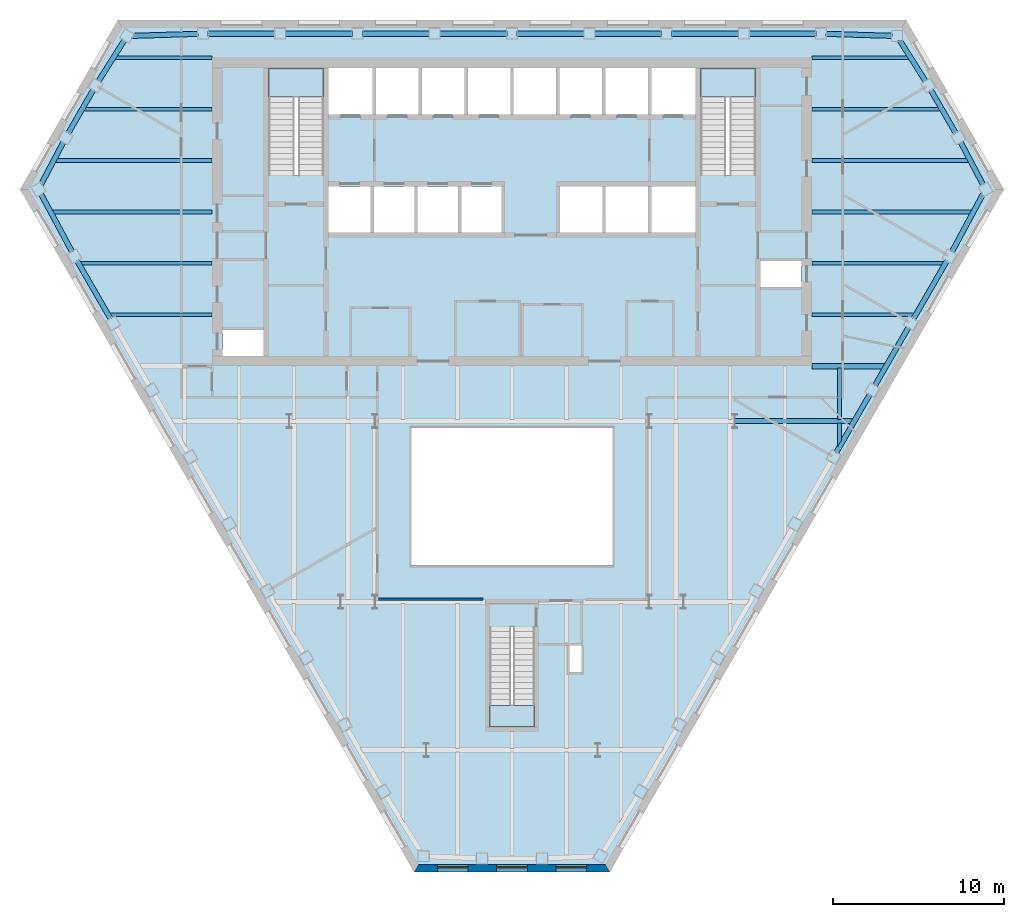
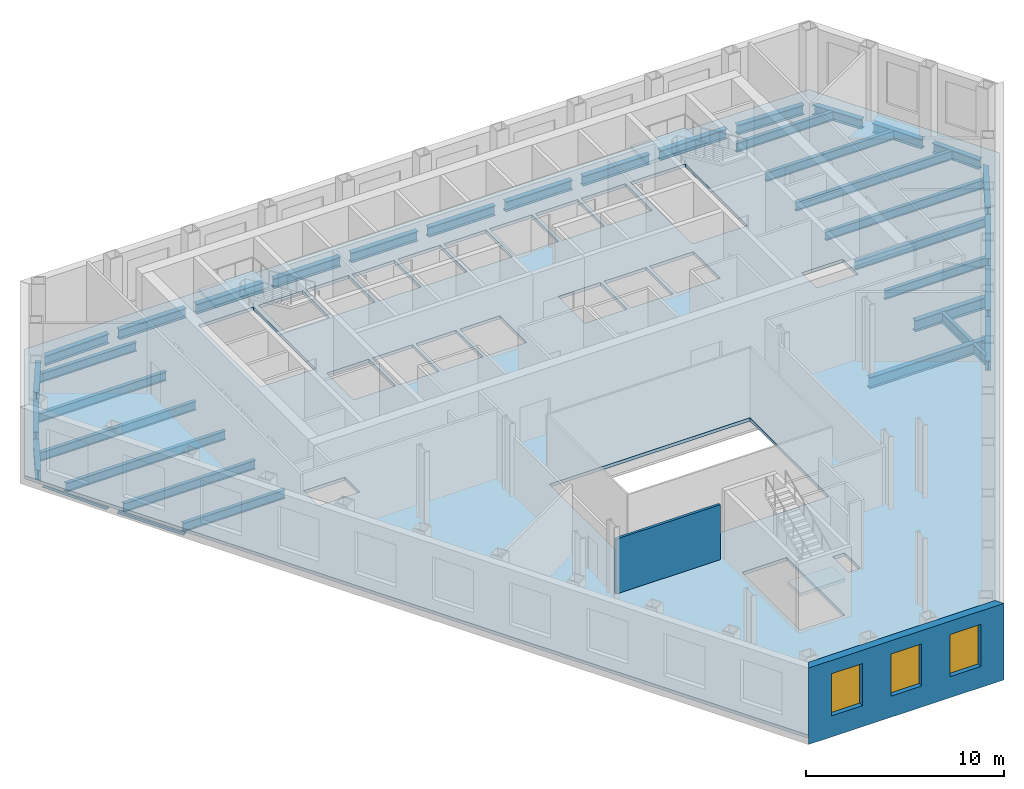
# One storey, part 3 of 10: 38 beams, 4 slabs, 3 windows, 2 walls, 3 openings, 3 elements without a shape of their own.
"""IFC4 building model written with IfcOpenShell, lengths in metres."""

from ifc_helpers import new_model, si_unit, direction, frame, frame_2d, origin, origin_2d, place, context, subcontext, project, spatial, polyline, rectangle, i_section, outline, extrude, clip, halfspace, material, layer, layer_set, material_profile, profile_set, type_object, element, fill, aggregate, save


model = new_model("IFC4")

# Units and contexts
model_context = context("Model", 3, precision=1e-05, world=origin(), true_north=direction((0.0, 1.0)))
body_context = subcontext(model_context, "Body", "Model", "MODEL_VIEW")
ifc_project = project(units=[si_unit("LENGTHUNIT", "METRE"), si_unit("AREAUNIT", "SQUARE_METRE"), si_unit("VOLUMEUNIT", "CUBIC_METRE"), si_unit("PLANEANGLEUNIT", "RADIAN"), si_unit("MASSUNIT", "GRAM", prefix="KILO")], contexts=[model_context])

# Site, building, storey
site_placement = place(None, origin())
site = spatial("IfcSite", under=ifc_project, at=site_placement, CompositionType="ELEMENT")
building_placement = place(site_placement, origin())
building = spatial("IfcBuilding", under=site, at=building_placement, Name="Njiva Tower", CompositionType="ELEMENT")
storey_placement = place(building_placement, frame((0.0, 0.0, 55.8)))
storey = spatial("IfcBuildingStorey", under=building, at=storey_placement, Name="L11", CompositionType="ELEMENT", Elevation=55.8)

# Beams
ifc_material_1 = material(Name="Steel S355 J2", Category="steel")
ifc_material_profile_1 = material_profile(ifc_material_1, i_section(OverallWidth=0.21, OverallDepth=0.55, WebThickness=0.0111, FlangeThickness=0.0172, at=origin_2d()), Name="IPE 550")
ifc_profile_set_1 = profile_set([ifc_material_profile_1], Name="Steel S355 J2")
beam_type_1 = type_object("IfcBeamType", Name="B10 Floor beam to the core IPE 550", PredefinedType="BEAM", material=ifc_profile_set_1)
beam_1_placement = place(storey_placement, frame((-23.521, 3.0, -0.475), z_axis=(1.0, 0.0, 0.0), x_axis=(0.0, 1.0, 0.0)))
element("IfcBeam", 1, at=beam_1_placement, inside=storey, type_object=beam_type_1, Name="Floor beam to the core S03-B006", PredefinedType="BEAM", context=body_context, shape_type="Clipping", body=[
    clip(extrude(i_section(OverallWidth=0.21, OverallDepth=0.55, WebThickness=0.0111, FlangeThickness=0.0172, at=origin_2d()), origin(), (0.0, 0.0, 1.0), 6.021), halfspace(frame((-0.025, 0.0, 0.0951), z_axis=(-0.499998009787, 0.0, -0.866026552831), x_axis=(0.0, -1.0, 0.0)), False)),
])
beam_2_placement = place(storey_placement, frame((17.5, 3.0, -0.475), z_axis=(1.0, 0.0, 0.0), x_axis=(0.0, 1.0, 0.0)))
element("IfcBeam", 2, at=beam_2_placement, inside=storey, type_object=beam_type_1, Name="Floor beam to the core S03-B008", PredefinedType="BEAM", context=body_context, shape_type="Clipping", body=[
    clip(extrude(i_section(OverallWidth=0.21, OverallDepth=0.55, WebThickness=0.0111, FlangeThickness=0.0172, at=origin_2d()), origin(), (0.0, 0.0, 1.0), 6.021), halfspace(frame((-0.025, 0.0, 5.9259), z_axis=(-0.499998009787, 0.0, 0.866026552831), x_axis=(0.0, 1.0, 0.0)), False)),
])
beam_3_placement = place(storey_placement, frame((-25.253, 6.0, -0.475), z_axis=(1.0, 0.0, 0.0), x_axis=(0.0, 1.0, 0.0)))
element("IfcBeam", 3, at=beam_3_placement, inside=storey, type_object=beam_type_1, Name="Floor beam to the core S03-B004", PredefinedType="BEAM", context=body_context, shape_type="Clipping", body=[
    clip(extrude(i_section(OverallWidth=0.21, OverallDepth=0.55, WebThickness=0.0111, FlangeThickness=0.0172, at=origin_2d()), origin(), (0.0, 0.0, 1.0), 7.753), halfspace(frame((-0.025, 0.0, 0.095), z_axis=(-0.499998009787, 0.0, -0.866026552831), x_axis=(0.0, -1.0, 0.0)), False)),
])
beam_4_placement = place(storey_placement, frame((17.5, 6.0, -0.475), z_axis=(1.0, 0.0, 0.0), x_axis=(0.0, 1.0, 0.0)))
element("IfcBeam", 4, at=beam_4_placement, inside=storey, type_object=beam_type_1, Name="Floor beam to the core S03-B009", PredefinedType="BEAM", context=body_context, shape_type="Clipping", body=[
    clip(extrude(i_section(OverallWidth=0.21, OverallDepth=0.55, WebThickness=0.0111, FlangeThickness=0.0172, at=origin_2d()), origin(), (0.0, 0.0, 1.0), 7.753), halfspace(frame((-0.025, 0.0, 7.658), z_axis=(-0.499998009787, 0.0, 0.866026552831), x_axis=(0.0, 1.0, 0.0)), False)),
])
beam_5_placement = place(storey_placement, frame((-26.881, 9.0, -0.475), z_axis=(1.0, 0.0, 0.0), x_axis=(0.0, 1.0, 0.0)))
element("IfcBeam", 5, at=beam_5_placement, inside=storey, type_object=beam_type_1, Name="Floor beam to the core S03-B001", PredefinedType="BEAM", context=body_context, shape_type="Clipping", body=[
    clip(extrude(i_section(OverallWidth=0.21, OverallDepth=0.55, WebThickness=0.0111, FlangeThickness=0.0172, at=origin_2d()), origin(), (0.0, 0.0, 1.0), 9.381), halfspace(frame((-0.0237, 0.0, 0.0892), z_axis=(-0.473769423091, 0.0, -0.880648927634), x_axis=(0.0, -1.0, 0.0)), False)),
])
beam_6_placement = place(storey_placement, frame((17.5, 9.0, -0.475), z_axis=(1.0, 0.0, 0.0), x_axis=(0.0, 1.0, 0.0)))
element("IfcBeam", 6, at=beam_6_placement, inside=storey, type_object=beam_type_1, Name="Floor beam to the core S03-B011", PredefinedType="BEAM", context=body_context, shape_type="Clipping", body=[
    clip(extrude(i_section(OverallWidth=0.21, OverallDepth=0.55, WebThickness=0.0111, FlangeThickness=0.0172, at=origin_2d()), origin(), (0.0, 0.0, 1.0), 9.381), halfspace(frame((-0.0237, 0.0, 9.2918), z_axis=(-0.473769423091, 0.0, 0.880648927634), x_axis=(0.0, 1.0, 0.0)), False)),
])
beam_7_placement = place(storey_placement, frame((-26.704, 12.0, -0.475), z_axis=(1.0, 0.0, 0.0), x_axis=(0.0, 1.0, 0.0)))
element("IfcBeam", 7, at=beam_7_placement, inside=storey, type_object=beam_type_1, Name="Floor beam to the core S03-B002", PredefinedType="BEAM", context=body_context, shape_type="Clipping", body=[
    clip(extrude(i_section(OverallWidth=0.21, OverallDepth=0.55, WebThickness=0.0111, FlangeThickness=0.0172, at=origin_2d()), origin(), (0.0, 0.0, 1.0), 9.204), halfspace(frame((0.0233, 0.0, 0.0871), z_axis=(0.465930652932, 0.0, -0.884821239945), x_axis=(0.0, -1.0, 0.0)), False)),
])
beam_8_placement = place(storey_placement, frame((17.5, 12.0, -0.475), z_axis=(1.0, 0.0, 0.0), x_axis=(0.0, 1.0, 0.0)))
element("IfcBeam", 8, at=beam_8_placement, inside=storey, type_object=beam_type_1, Name="Floor beam to the core S03-B012", PredefinedType="BEAM", context=body_context, shape_type="Clipping", body=[
    clip(extrude(i_section(OverallWidth=0.21, OverallDepth=0.55, WebThickness=0.0111, FlangeThickness=0.0172, at=origin_2d()), origin(), (0.0, 0.0, 1.0), 9.204), halfspace(frame((0.0233, 0.0, 9.1169), z_axis=(0.465930652932, 0.0, 0.884821239945), x_axis=(0.0, 1.0, 0.0)), False)),
])
beam_9_placement = place(storey_placement, frame((-25.044, 15.0, -0.475), z_axis=(1.0, 0.0, 0.0), x_axis=(0.0, 1.0, 0.0)))
element("IfcBeam", 9, at=beam_9_placement, inside=storey, type_object=beam_type_1, Name="Floor beam to the core S03-B005", PredefinedType="BEAM", context=body_context, shape_type="Clipping", body=[
    clip(extrude(i_section(OverallWidth=0.21, OverallDepth=0.55, WebThickness=0.0111, FlangeThickness=0.0172, at=origin_2d()), origin(), (0.0, 0.0, 1.0), 7.544), halfspace(frame((0.025, 0.0, 0.0954), z_axis=(0.499998009787, 0.0, -0.866026552831), x_axis=(0.0, -1.0, 0.0)), False)),
])
beam_10_placement = place(storey_placement, frame((17.5, 15.0, -0.475), z_axis=(1.0, 0.0, 0.0), x_axis=(0.0, 1.0, 0.0)))
element("IfcBeam", 10, at=beam_10_placement, inside=storey, type_object=beam_type_1, Name="Floor beam to the core S03-B013", PredefinedType="BEAM", context=body_context, shape_type="Clipping", body=[
    clip(extrude(i_section(OverallWidth=0.21, OverallDepth=0.55, WebThickness=0.0111, FlangeThickness=0.0172, at=origin_2d()), origin(), (0.0, 0.0, 1.0), 7.544), halfspace(frame((0.025, 0.0, 7.4486), z_axis=(0.499998009787, 0.0, 0.866026552831), x_axis=(0.0, 1.0, 0.0)), False)),
])
beam_11_placement = place(storey_placement, frame((-23.228, 18.0, -0.475), z_axis=(1.0, 0.0, 0.0), x_axis=(0.0, 1.0, 0.0)))
element("IfcBeam", 11, at=beam_11_placement, inside=storey, type_object=beam_type_1, Name="Floor beam to the core S03-B007", PredefinedType="BEAM", context=body_context, shape_type="Clipping", body=[
    clip(extrude(i_section(OverallWidth=0.21, OverallDepth=0.55, WebThickness=0.0111, FlangeThickness=0.0172, at=origin_2d()), origin(), (0.0, 0.0, 1.0), 5.728), halfspace(frame((0.0267, 0.0, 0.103), z_axis=(0.533317101749, 0.0, -0.84591540297), x_axis=(0.0, -1.0, 0.0)), False)),
])
beam_12_placement = place(storey_placement, frame((17.5, 18.0, -0.475), z_axis=(1.0, 0.0, 0.0), x_axis=(0.0, 1.0, 0.0)))
element("IfcBeam", 12, at=beam_12_placement, inside=storey, type_object=beam_type_1, Name="Floor beam to the core S03-B014", PredefinedType="BEAM", context=body_context, shape_type="Clipping", body=[
    clip(extrude(i_section(OverallWidth=0.21, OverallDepth=0.55, WebThickness=0.0111, FlangeThickness=0.0172, at=origin_2d()), origin(), (0.0, 0.0, 1.0), 5.728), halfspace(frame((0.0267, 0.0, 5.625), z_axis=(0.533317101749, 0.0, 0.84591540297), x_axis=(0.0, 1.0, 0.0)), False)),
])
ifc_material_profile_2 = material_profile(ifc_material_1, i_section(OverallWidth=0.22, OverallDepth=0.6, WebThickness=0.012, FlangeThickness=0.019, at=origin_2d()), Name="IPE 600")
ifc_profile_set_2 = profile_set([ifc_material_profile_2], Name="Steel S355 J2")
beam_type_2 = type_object("IfcBeamType", Name="B14 Short-span floor joist IPE 600", PredefinedType="JOIST", material=ifc_profile_set_2)
beam_13_placement = place(storey_placement, frame((19.1, -0.1, -0.5), z_axis=(0.0, -1.0, 0.0), x_axis=(1.0, 0.0, 0.0)))
element("IfcBeam", 13, at=beam_13_placement, inside=storey, type_object=beam_type_2, Name="Short-span floor joist S03-B096", PredefinedType="JOIST", context=body_context, shape_type="SweptSolid", body=[
    extrude(i_section(OverallWidth=0.22, OverallDepth=0.6, WebThickness=0.012, FlangeThickness=0.019, at=origin_2d()), origin(), (0.0, 0.0, 1.0), 3.0),
])
beam_14_placement = place(storey_placement, frame((19.1, -3.3, -0.5), z_axis=(0.0, -1.0, 0.0), x_axis=(1.0, 0.0, 0.0)))
element("IfcBeam", 14, at=beam_14_placement, inside=storey, type_object=beam_type_2, Name="Short-span floor joist S03-B095", PredefinedType="JOIST", context=body_context, shape_type="Clipping", body=[
    clip(extrude(i_section(OverallWidth=0.22, OverallDepth=0.6, WebThickness=0.012, FlangeThickness=0.019, at=origin_2d()), origin(), (0.0, 0.0, 1.0), 1.429), halfspace(frame((0.0433, 0.0, 1.1427), z_axis=(0.866026552831, 0.0, 0.499998009787), x_axis=(0.0, 1.0, 0.0)), False)),
])
ifc_material_profile_3 = material_profile(ifc_material_1, i_section(OverallWidth=0.3, OverallDepth=0.69, WebThickness=0.0145, FlangeThickness=0.027, at=origin_2d()), Name="HEA 700")
ifc_profile_set_3 = profile_set([ifc_material_profile_3], Name="Steel S355 J2")
beam_type_3 = type_object("IfcBeamType", Name="B15 Floor girder HEA 700", PredefinedType="BEAM", material=ifc_profile_set_3)
beam_15_placement = place(storey_placement, frame((13.0, -3.2, -0.545), z_axis=(1.0, 0.0, 0.0), x_axis=(0.0, 1.0, 0.0)))
element("IfcBeam", 15, at=beam_15_placement, inside=storey, type_object=beam_type_3, Name="Floor girder S03-B026", PredefinedType="BEAM", context=body_context, shape_type="Clipping", body=[
    clip(extrude(i_section(OverallWidth=0.3, OverallDepth=0.69, WebThickness=0.0145, FlangeThickness=0.027, at=origin_2d()), origin(), (0.0, 0.0, 1.0), 6.968), halfspace(frame((-0.025, 0.0, 6.8463), z_axis=(-0.499998009787, 0.0, 0.866026552831), x_axis=(0.0, 1.0, 0.0)), False)),
])
ifc_material_profile_4 = material_profile(ifc_material_1, i_section(OverallWidth=0.3, OverallDepth=0.69, WebThickness=0.0145, FlangeThickness=0.027, at=origin_2d()), Name="HEA 700")
ifc_profile_set_4 = profile_set([ifc_material_profile_4], Name="Steel S355 J2")
beam_type_4 = type_object("IfcBeamType", Name="B16 Short-span floor girder HEA 700", PredefinedType="BEAM", material=ifc_profile_set_4)
beam_16_placement = place(storey_placement, frame((17.5, 0.0, -0.545), z_axis=(1.0, 0.0, 0.0), x_axis=(0.0, 1.0, 0.0)))
element("IfcBeam", 16, at=beam_16_placement, inside=storey, type_object=beam_type_4, Name="Short-span floor girder S03-B027", PredefinedType="BEAM", context=body_context, shape_type="Clipping", body=[
    clip(extrude(i_section(OverallWidth=0.3, OverallDepth=0.69, WebThickness=0.0145, FlangeThickness=0.027, at=origin_2d()), origin(), (0.0, 0.0, 1.0), 4.315), halfspace(frame((-0.025, 0.0, 4.1939), z_axis=(-0.499998009787, 0.0, 0.866026552831), x_axis=(0.0, 1.0, 0.0)), False)),
])
ifc_material_profile_5 = material_profile(ifc_material_1, i_section(OverallWidth=0.3, OverallDepth=0.6, WebThickness=0.0155, FlangeThickness=0.03, at=origin_2d()), Name="HEB 600")
ifc_profile_set_5 = profile_set([ifc_material_profile_5], Name="Steel S355 J2")
beam_type_5 = type_object("IfcBeamType", Name="B3 Short-span spandrel beam HEB 600", PredefinedType="SPANDREL", material=ifc_profile_set_5)
beam_17_placement = place(storey_placement, frame((22.157, 19.276, -0.5), z_axis=(-0.999547870884, 0.030067487615, 0.0), x_axis=(-0.030067487615, -0.999547870884, 0.0)))
element("IfcBeam", 17, at=beam_17_placement, inside=storey, type_object=beam_type_5, Name="Short-span spandrel beam S03-B161", PredefinedType="SPANDREL", context=body_context, shape_type="SweptSolid", body=[
    extrude(i_section(OverallWidth=0.3, OverallDepth=0.6, WebThickness=0.0155, FlangeThickness=0.03, at=origin_2d()), origin(), (0.0, 0.0, 1.0), 3.8247),
])
beam_18_placement = place(storey_placement, frame((17.73, 19.4, -0.5), z_axis=(-1.0, 0.0, 0.0), x_axis=(0.0, -1.0, 0.0)))
element("IfcBeam", 18, at=beam_18_placement, inside=storey, type_object=beam_type_5, Name="Short-span spandrel beam S03-B155", PredefinedType="SPANDREL", context=body_context, shape_type="SweptSolid", body=[
    extrude(i_section(OverallWidth=0.3, OverallDepth=0.6, WebThickness=0.0155, FlangeThickness=0.03, at=origin_2d()), origin(), (0.0, 0.0, 1.0), 3.907),
])
beam_19_placement = place(storey_placement, frame((13.223, 19.4, -0.5), z_axis=(-1.0, 0.0, 0.0), x_axis=(0.0, -1.0, 0.0)))
element("IfcBeam", 19, at=beam_19_placement, inside=storey, type_object=beam_type_5, Name="Short-span spandrel beam S03-B149", PredefinedType="SPANDREL", context=body_context, shape_type="SweptSolid", body=[
    extrude(i_section(OverallWidth=0.3, OverallDepth=0.6, WebThickness=0.0155, FlangeThickness=0.03, at=origin_2d()), origin(), (0.0, 0.0, 1.0), 3.908),
])
beam_20_placement = place(storey_placement, frame((8.715, 19.4, -0.5), z_axis=(-1.0, 0.0, 0.0), x_axis=(0.0, -1.0, 0.0)))
element("IfcBeam", 20, at=beam_20_placement, inside=storey, type_object=beam_type_5, Name="Short-span spandrel beam S03-B144", PredefinedType="SPANDREL", context=body_context, shape_type="SweptSolid", body=[
    extrude(i_section(OverallWidth=0.3, OverallDepth=0.6, WebThickness=0.0155, FlangeThickness=0.03, at=origin_2d()), origin(), (0.0, 0.0, 1.0), 3.907),
])
for number, where, z_axis, x_axis, name in (
    (21, (4.208, 19.4, -0.5), (-1.0, 0.0, 0.0), (0.0, -1.0, 0.0), "Short-span spandrel beam S03-B141"),
    (22, (-0.3, 19.4, -0.5), (-1.0, 0.0, 0.0), (0.0, -1.0, 0.0), "Short-span spandrel beam S03-B138"),
):
    element("IfcBeam", number, at=place(storey_placement, frame(where, z_axis=z_axis, x_axis=x_axis)), inside=storey, type_object=beam_type_5, Name=name, PredefinedType="SPANDREL", context=body_context, shape_type="SweptSolid", body=[
        extrude(i_section(OverallWidth=0.3, OverallDepth=0.6, WebThickness=0.0155, FlangeThickness=0.03, at=origin_2d()), origin(), (0.0, 0.0, 1.0), 3.908),
    ])
beam_21_placement = place(storey_placement, frame((-4.808, 19.4, -0.5), z_axis=(-1.0, 0.0, 0.0), x_axis=(0.0, -1.0, 0.0)))
element("IfcBeam", 23, at=beam_21_placement, inside=storey, type_object=beam_type_5, Name="Short-span spandrel beam S03-B133", PredefinedType="SPANDREL", context=body_context, shape_type="SweptSolid", body=[
    extrude(i_section(OverallWidth=0.3, OverallDepth=0.6, WebThickness=0.0155, FlangeThickness=0.03, at=origin_2d()), origin(), (0.0, 0.0, 1.0), 3.907),
])
beam_22_placement = place(storey_placement, frame((-9.315, 19.4, -0.5), z_axis=(-1.0, 0.0, 0.0), x_axis=(0.0, -1.0, 0.0)))
element("IfcBeam", 24, at=beam_22_placement, inside=storey, type_object=beam_type_5, Name="Short-span spandrel beam S03-B128", PredefinedType="SPANDREL", context=body_context, shape_type="SweptSolid", body=[
    extrude(i_section(OverallWidth=0.3, OverallDepth=0.6, WebThickness=0.0155, FlangeThickness=0.03, at=origin_2d()), origin(), (0.0, 0.0, 1.0), 3.908),
])
beam_23_placement = place(storey_placement, frame((-13.823, 19.4, -0.5), z_axis=(-1.0, 0.0, 0.0), x_axis=(0.0, -1.0, 0.0)))
element("IfcBeam", 25, at=beam_23_placement, inside=storey, type_object=beam_type_5, Name="Short-span spandrel beam S03-B122", PredefinedType="SPANDREL", context=body_context, shape_type="SweptSolid", body=[
    extrude(i_section(OverallWidth=0.3, OverallDepth=0.6, WebThickness=0.0155, FlangeThickness=0.03, at=origin_2d()), origin(), (0.0, 0.0, 1.0), 3.907),
])
beam_24_placement = place(storey_placement, frame((-18.334, 19.391, -0.5), z_axis=(-0.999544331639, -0.030184914916, 0.0), x_axis=(0.030184914916, -0.999544331639, 0.0)))
element("IfcBeam", 26, at=beam_24_placement, inside=storey, type_object=beam_type_5, Name="Short-span spandrel beam S03-B116", PredefinedType="SPANDREL", context=body_context, shape_type="Clipping", body=[
    clip(extrude(i_section(OverallWidth=0.3, OverallDepth=0.6, WebThickness=0.0155, FlangeThickness=0.03, at=origin_2d()), origin(), (0.0, 0.0, 1.0), 3.8897), halfspace(frame((-0.0268, 0.0, 3.76), z_axis=(-0.525911114325, 0.0, 0.850539534548), x_axis=(0.0, 1.0, 0.0)), False)),
])
beam_25_placement = place(storey_placement, frame((-22.624, 19.009, -0.5), z_axis=(-0.533256650441, -0.845953512174, 0.0), x_axis=(0.845953512174, -0.533256650441, 0.0)))
element("IfcBeam", 27, at=beam_25_placement, inside=storey, type_object=beam_type_5, Name="Short-span spandrel beam S03-B112", PredefinedType="SPANDREL", context=body_context, shape_type="SweptSolid", body=[
    extrude(i_section(OverallWidth=0.3, OverallDepth=0.6, WebThickness=0.0155, FlangeThickness=0.03, at=origin_2d()), origin(), (0.0, 0.0, 1.0), 2.811),
])
beam_26_placement = place(storey_placement, frame((-24.436, 16.113, -0.5), z_axis=(-0.500150989765, -0.865938212252, 0.0), x_axis=(0.865938212252, -0.500150989765, 0.0)))
element("IfcBeam", 28, at=beam_26_placement, inside=storey, type_object=beam_type_5, Name="Short-span spandrel beam S03-B108", PredefinedType="SPANDREL", context=body_context, shape_type="SweptSolid", body=[
    extrude(i_section(OverallWidth=0.3, OverallDepth=0.6, WebThickness=0.0155, FlangeThickness=0.03, at=origin_2d()), origin(), (0.0, 0.0, 1.0), 2.8951),
])
beam_27_placement = place(storey_placement, frame((-26.176, 13.076, -0.5), z_axis=(-0.465656887995, -0.884965345459, 0.0), x_axis=(0.884965345459, -0.465656887995, 0.0)))
element("IfcBeam", 29, at=beam_27_placement, inside=storey, type_object=beam_type_5, Name="Short-span spandrel beam S03-B105", PredefinedType="SPANDREL", context=body_context, shape_type="Clipping", body=[
    clip(extrude(i_section(OverallWidth=0.3, OverallDepth=0.6, WebThickness=0.0155, FlangeThickness=0.03, at=origin_2d()), origin(), (0.0, 0.0, 1.0), 2.8767), halfspace(frame((-0.0271, 0.0, 2.7449), z_axis=(-0.533575970262, 0.0, 0.845752140972), x_axis=(0.0, 1.0, 0.0)), False)),
])
beam_28_placement = place(storey_placement, frame((-27.484, 10.051, -0.5), z_axis=(0.473881592304, -0.880588573896, 0.0), x_axis=(0.880588573896, 0.473881592304, 0.0)))
element("IfcBeam", 30, at=beam_28_placement, inside=storey, type_object=beam_type_5, Name="Short-span spandrel beam S03-B104", PredefinedType="SPANDREL", context=body_context, shape_type="SweptSolid", body=[
    extrude(i_section(OverallWidth=0.3, OverallDepth=0.6, WebThickness=0.0155, FlangeThickness=0.03, at=origin_2d()), origin(), (0.0, 0.0, 1.0), 3.8259),
])
beam_29_placement = place(storey_placement, frame((-25.377, 6.155, -0.5), z_axis=(0.499855389907, -0.866108878364, 0.0), x_axis=(0.866108878364, 0.499855389907, 0.0)))
element("IfcBeam", 31, at=beam_29_placement, inside=storey, type_object=beam_type_5, Name="Short-span spandrel beam S03-B109", PredefinedType="SPANDREL", context=body_context, shape_type="SweptSolid", body=[
    extrude(i_section(OverallWidth=0.3, OverallDepth=0.6, WebThickness=0.0155, FlangeThickness=0.03, at=origin_2d()), origin(), (0.0, 0.0, 1.0), 3.9071),
])
beam_30_placement = place(storey_placement, frame((18.916, -5.036, -0.5), z_axis=(0.500158186394, 0.865934055563, 0.0), x_axis=(-0.865934055563, 0.500158186394, 0.0)))
element("IfcBeam", 32, at=beam_30_placement, inside=storey, type_object=beam_type_5, Name="Short-span spandrel beam S03-B164", PredefinedType="SPANDREL", context=body_context, shape_type="SweptSolid", body=[
    extrude(i_section(OverallWidth=0.3, OverallDepth=0.6, WebThickness=0.0155, FlangeThickness=0.03, at=origin_2d()), origin(), (0.0, 0.0, 1.0), 3.9068),
])
beam_31_placement = place(storey_placement, frame((21.17, -1.133, -0.5), z_axis=(0.500047346826, 0.865998066356, 0.0), x_axis=(-0.865998066356, 0.500047346826, 0.0)))
element("IfcBeam", 33, at=beam_31_placement, inside=storey, type_object=beam_type_5, Name="Short-span spandrel beam S03-B166", PredefinedType="SPANDREL", context=body_context, shape_type="SweptSolid", body=[
    extrude(i_section(OverallWidth=0.3, OverallDepth=0.6, WebThickness=0.0155, FlangeThickness=0.03, at=origin_2d()), origin(), (0.0, 0.0, 1.0), 3.9076),
])
beam_32_placement = place(storey_placement, frame((23.424, 2.771, -0.5), z_axis=(0.499855389907, 0.866108878364, 0.0), x_axis=(-0.866108878364, 0.499855389907, 0.0)))
element("IfcBeam", 34, at=beam_32_placement, inside=storey, type_object=beam_type_5, Name="Short-span spandrel beam S03-B170", PredefinedType="SPANDREL", context=body_context, shape_type="SweptSolid", body=[
    extrude(i_section(OverallWidth=0.3, OverallDepth=0.6, WebThickness=0.0155, FlangeThickness=0.03, at=origin_2d()), origin(), (0.0, 0.0, 1.0), 3.9071),
])
beam_33_placement = place(storey_placement, frame((25.671, 6.682, -0.5), z_axis=(0.473799891444, 0.880632535662, 0.0), x_axis=(-0.880632535662, 0.473799891444, 0.0)))
element("IfcBeam", 35, at=beam_33_placement, inside=storey, type_object=beam_type_5, Name="Short-span spandrel beam S03-B174", PredefinedType="SPANDREL", context=body_context, shape_type="Clipping", body=[
    clip(extrude(i_section(OverallWidth=0.3, OverallDepth=0.6, WebThickness=0.0155, FlangeThickness=0.03, at=origin_2d()), origin(), (0.0, 0.0, 1.0), 3.891), halfspace(frame((-0.0262, 0.0, 3.7613), z_axis=(-0.525752156411, 0.0, 0.850637801904), x_axis=(0.0, 1.0, 0.0)), False)),
])
beam_34_placement = place(storey_placement, frame((27.485, 10.589, -0.5), z_axis=(-0.465761097572, 0.884910503943, 0.0), x_axis=(-0.884910503943, -0.465761097572, 0.0)))
element("IfcBeam", 36, at=beam_34_placement, inside=storey, type_object=beam_type_5, Name="Short-span spandrel beam S03-B175", PredefinedType="SPANDREL", context=body_context, shape_type="SweptSolid", body=[
    extrude(i_section(OverallWidth=0.3, OverallDepth=0.6, WebThickness=0.0155, FlangeThickness=0.03, at=origin_2d()), origin(), (0.0, 0.0, 1.0), 2.8105),
])
beam_35_placement = place(storey_placement, frame((25.884, 13.606, -0.5), z_axis=(-0.500150989765, 0.865938212252, 0.0), x_axis=(-0.865938212252, -0.500150989765, 0.0)))
element("IfcBeam", 37, at=beam_35_placement, inside=storey, type_object=beam_type_5, Name="Short-span spandrel beam S03-B171", PredefinedType="SPANDREL", context=body_context, shape_type="SweptSolid", body=[
    extrude(i_section(OverallWidth=0.3, OverallDepth=0.6, WebThickness=0.0155, FlangeThickness=0.03, at=origin_2d()), origin(), (0.0, 0.0, 1.0), 2.8951),
])
beam_36_placement = place(storey_placement, frame((24.123, 16.631, -0.5), z_axis=(-0.53337978316, 0.845875881508, 0.0), x_axis=(-0.845875881508, -0.53337978316, 0.0)))
element("IfcBeam", 38, at=beam_36_placement, inside=storey, type_object=beam_type_5, Name="Short-span spandrel beam S03-B167", PredefinedType="SPANDREL", context=body_context, shape_type="Clipping", body=[
    clip(extrude(i_section(OverallWidth=0.3, OverallDepth=0.6, WebThickness=0.0155, FlangeThickness=0.03, at=origin_2d()), origin(), (0.0, 0.0, 1.0), 2.8766), halfspace(frame((-0.027, 0.0, 2.7446), z_axis=(-0.53337978316, 0.0, 0.845875881508), x_axis=(0.0, 1.0, 0.0)), False)),
])

# Stair, slab
ifc_material_2 = material(Name="Concrete C40/50", Category="concrete")
stair_type_1 = type_object("IfcStairType", Name="ST4 Exit stair 1500", PredefinedType="HALF_TURN_STAIR", material=ifc_material_2)
stair_1_placement = place(storey_placement, origin())
stair_1 = element("IfcStair", 39, at=stair_1_placement, inside=storey, type_object=stair_type_1, Name="Stair A", PredefinedType="HALF_TURN_STAIR")
ifc_layer_1 = layer(ifc_material_2, 0.2)
ifc_layer_set_1 = layer_set([ifc_layer_1], Name="Concrete C40/50")
slab_type_1 = type_object("IfcSlabType", Name="FL9 Stair landing 200", PredefinedType="LANDING", material=ifc_layer_set_1)
slab_1_placement = place(storey_placement, frame((0.0, 0.0, 2.05)))
slab_1 = element("IfcSlab", 40, at=slab_1_placement, type_object=slab_type_1, Name="ST-A landing 1", PredefinedType="LANDING", context=body_context, shape_type="SweptSolid", body=[
    extrude(outline(polyline([(-14.206, 15.72), (-10.994, 15.72), (-10.994, 17.4), (-14.206, 17.4), (-14.206, 15.72)])), origin(), (0.0, 0.0, 1.0), 0.2),
])
aggregate(stair_1, [slab_1])

stair_2_placement = place(storey_placement, origin())
stair_2 = element("IfcStair", 41, at=stair_2_placement, inside=storey, type_object=stair_type_1, Name="Stair B", PredefinedType="HALF_TURN_STAIR")
slab_2_placement = place(storey_placement, frame((0.0, 0.0, 2.05)))
slab_2 = element("IfcSlab", 42, at=slab_2_placement, type_object=slab_type_1, Name="ST-B landing 1", PredefinedType="LANDING", context=body_context, shape_type="SweptSolid", body=[
    extrude(outline(polyline([(10.994, 15.72), (14.206, 15.72), (14.206, 17.4), (10.994, 17.4), (10.994, 15.72)])), origin(), (0.0, 0.0, 1.0), 0.2),
])
aggregate(stair_2, [slab_2])

stair_type_2 = type_object("IfcStairType", Name="ST1 Exit stair 1250", PredefinedType="HALF_TURN_STAIR", material=ifc_material_2)
stair_3_placement = place(storey_placement, origin())
stair_3 = element("IfcStair", 43, at=stair_3_placement, inside=storey, type_object=stair_type_2, Name="Stair C", PredefinedType="HALF_TURN_STAIR")
slab_3_placement = place(storey_placement, frame((0.0, 0.0, 2.05)))
slab_3 = element("IfcSlab", 44, at=slab_3_placement, type_object=slab_type_1, Name="ST-C landing 1", PredefinedType="LANDING", context=body_context, shape_type="SweptSolid", body=[
    extrude(outline(polyline([(-1.306, -21.05), (1.306, -21.05), (1.306, -19.78), (-1.306, -19.78), (-1.306, -21.05)])), origin(), (0.0, 0.0, 1.0), 0.2),
])
aggregate(stair_3, [slab_3])

# Slab
ifc_material_3 = material(Name="Concrete C30/37", Category="concrete")
ifc_layer_2 = layer(ifc_material_3, 0.2)
ifc_layer_set_2 = layer_set([ifc_layer_2], Name="Concrete C30/37")
slab_type_2 = type_object("IfcSlabType", Name="SL16 Composite floor slab 200", PredefinedType="FLOOR", material=ifc_layer_set_2)
slab_4_placement = place(storey_placement, frame((0.0, 0.0, -0.2)))
element("IfcSlab", 45, at=slab_4_placement, inside=storey, type_object=slab_type_2, Name="Floor slab L11", PredefinedType="FLOOR", context=body_context, shape_type="SweptSolid", body=[
    extrude(outline(polyline([(28.4452, 10.3187), (5.5751, -29.2935), (-5.5751, -29.2935), (-28.4452, 10.3187), (-22.8701, 19.975), (22.8701, 19.975), (28.4452, 10.3187)]), holes=[polyline([(14.5, 4.6269), (16.9, 4.6269), (16.9, 6.15), (14.5, 6.15), (14.5, 4.6269)]), polyline([(10.994, 17.4), (10.994, 11.13), (14.206, 11.13), (14.206, 17.4), (10.994, 17.4)]), polyline([(8.125, 17.4), (8.125, 14.7), (10.7, 14.7), (10.7, 17.4), (8.125, 17.4)]), polyline([(8.1333, 7.8), (10.7, 7.8), (10.7, 10.5), (8.1333, 10.5), (8.1333, 7.8)]), polyline([(5.4667, 10.5), (5.4667, 7.8), (7.9333, 7.8), (7.9333, 10.5), (5.4667, 10.5)]), polyline([(5.45, 17.4), (5.45, 14.7), (7.925, 14.7), (7.925, 17.4), (5.45, 17.4)]), polyline([(5.85, -11.6), (5.85, -3.6), (-5.85, -3.6), (-5.85, -11.6), (5.85, -11.6)]), polyline([(2.8, 10.5), (2.8, 7.8), (5.2667, 7.8), (5.2667, 10.5), (2.8, 10.5)]), polyline([(2.775, 14.7), (5.25, 14.7), (5.25, 17.4), (2.775, 17.4), (2.775, 14.7)]), polyline([(3.35, -17.85), (4.05, -17.85), (4.05, -16.3), (3.35, -16.3), (3.35, -17.85)]), polyline([(0.1, 17.4), (0.1, 14.7), (2.575, 14.7), (2.575, 17.4), (0.1, 17.4)]), polyline([(-1.306, -21.05), (1.306, -21.05), (1.306, -15.19), (-1.306, -15.19), (-1.306, -21.05)]), polyline([(-2.575, 17.4), (-2.575, 14.7), (-0.1, 14.7), (-0.1, 17.4), (-2.575, 17.4)]), polyline([(-2.95, 7.8), (-0.6, 7.8), (-0.6, 10.5), (-2.95, 10.5), (-2.95, 7.8)]), polyline([(-5.25, 17.4), (-5.25, 14.7), (-2.775, 14.7), (-2.775, 17.4), (-5.25, 17.4)]), polyline([(-5.5, 10.5), (-5.5, 7.8), (-3.15, 7.8), (-3.15, 10.5), (-5.5, 10.5)]), polyline([(-7.925, 14.7), (-5.45, 14.7), (-5.45, 17.4), (-7.925, 17.4), (-7.925, 14.7)]), polyline([(-8.05, 10.5), (-8.05, 7.8), (-5.7, 7.8), (-5.7, 10.5), (-8.05, 10.5)]), polyline([(-10.7, 17.4), (-10.7, 14.7), (-8.125, 14.7), (-8.125, 17.4), (-10.7, 17.4)]), polyline([(-10.7, 7.8), (-8.25, 7.8), (-8.25, 10.5), (-10.7, 10.5), (-10.7, 7.8)]), polyline([(-14.206, 17.4), (-14.206, 11.13), (-10.994, 11.13), (-10.994, 17.4), (-14.206, 17.4)]), polyline([(-16.9, 0.6), (-14.5, 0.6), (-14.5, 2.1), (-16.9, 2.1), (-16.9, 0.6)])]), origin(), (0.0, 0.0, 1.0), 0.2),
])

# Wall
ifc_material_4 = material(Name="Gypsum board on steel studs", Category="gypsum")
ifc_layer_3 = layer(ifc_material_4, 0.15)
ifc_layer_set_3 = layer_set([ifc_layer_3], Name="Gypsum board on steel studs")
wall_type_1 = type_object("IfcWallType", Name="WT21 Compartment wall 150", PredefinedType="PARTITIONING", material=ifc_layer_set_3)
wall_1_placement = place(storey_placement, frame((-7.775, -13.6, 0.0), z_axis=(0.0, 0.0, 1.0), x_axis=(1.0, 0.0, 0.0)))
element("IfcWall", 46, at=wall_1_placement, inside=storey, type_object=wall_type_1, Name="Partition S03-P010", PredefinedType="PARTITIONING", context=body_context, shape_type="SweptSolid", body=[
    extrude(rectangle(XDim=6.075, YDim=0.15, at=frame_2d((3.0375, 0.0))), origin(), (0.0, 0.0, 1.0), 3.39),
])

# Wall, openings, windows
ifc_material_5 = material(Name="Brick masonry, buff", Category="masonry")
ifc_layer_4 = layer(ifc_material_5, 0.45)
ifc_layer_set_4 = layer_set([ifc_layer_4], Name="Brick masonry, buff")
wall_type_2 = type_object("IfcWallType", Name="WT94 Brick pier and spandrel wall 450, buff", PredefinedType="SOLIDWALL", material=ifc_layer_set_4)
wall_2_placement = place(storey_placement, frame((-5.5751, -29.2935, -0.4), z_axis=(0.0, 0.0, 1.0), x_axis=(1.0, 0.0, 0.0)))
wall_2 = element("IfcWall", 47, at=wall_2_placement, inside=storey, type_object=wall_type_2, Name="Facade wall S", PredefinedType="SOLIDWALL", context=body_context, shape_type="SweptSolid", body=[
    extrude(outline(polyline([(-0.1299, -0.225), (11.2801, -0.225), (11.0203, 0.225), (0.1299, 0.225), (-0.1299, -0.225)])), origin(), (0.0, 0.0, 1.0), 4.72),
])
opening_1_placement = place(wall_2_placement, frame((1.2181, 0.0, 1.3)))
opening_1 = element("IfcOpeningElement", 48, at=opening_1_placement, cuts=wall_2, Name="Opening S03-W22", PredefinedType="OPENING", context=body_context, shape_type="SweptSolid", body=[
    extrude(rectangle(XDim=1.8, YDim=2.6, at=frame_2d((0.9, 1.3))), frame((0.0, 0.235, 0.0), z_axis=(0.0, -1.0, 0.0), x_axis=(1.0, 0.0, 0.0)), (0.0, 0.0, 1.0), 0.47),
])
opening_2_placement = place(wall_2_placement, frame((4.6751, 0.0, 1.3)))
opening_2 = element("IfcOpeningElement", 49, at=opening_2_placement, cuts=wall_2, Name="Opening S03-W23", PredefinedType="OPENING", context=body_context, shape_type="SweptSolid", body=[
    extrude(rectangle(XDim=1.8, YDim=2.6, at=frame_2d((0.9, 1.3))), frame((0.0, 0.235, 0.0), z_axis=(0.0, -1.0, 0.0), x_axis=(1.0, 0.0, 0.0)), (0.0, 0.0, 1.0), 0.47),
])
opening_3_placement = place(wall_2_placement, frame((8.1321, 0.0, 1.3)))
opening_3 = element("IfcOpeningElement", 50, at=opening_3_placement, cuts=wall_2, Name="Opening S03-W24", PredefinedType="OPENING", context=body_context, shape_type="SweptSolid", body=[
    extrude(rectangle(XDim=1.8, YDim=2.6, at=frame_2d((0.9, 1.3))), frame((0.0, 0.235, 0.0), z_axis=(0.0, -1.0, 0.0), x_axis=(1.0, 0.0, 0.0)), (0.0, 0.0, 1.0), 0.47),
])
ifc_material_6 = material(Name="Clear glazing in aluminium frame", Category="aluminium")
window_type = type_object("IfcWindowType", Name="W96 Deep-set window 1800x2600", PartitioningType="SINGLE_PANEL", PredefinedType="WINDOW", material=ifc_material_6)
window_1_placement = place(opening_1_placement, origin())
window_1 = element("IfcWindow", 51, at=window_1_placement, inside=storey, type_object=window_type, Name="Window", OverallHeight=2.6, OverallWidth=1.8, PartitioningType="SINGLE_PANEL", PredefinedType="WINDOW", context=body_context, shape_type="SweptSolid", body=[
    extrude(rectangle(XDim=1.8, YDim=2.6, at=frame_2d((0.9, 1.3))), frame((0.0, 0.105, 0.0), z_axis=(0.0, -1.0, 0.0), x_axis=(1.0, 0.0, 0.0)), (0.0, 0.0, 1.0), 0.06),
])
fill(opening_1, window_1)
window_2_placement = place(opening_2_placement, origin())
window_2 = element("IfcWindow", 52, at=window_2_placement, inside=storey, type_object=window_type, Name="Window", OverallHeight=2.6, OverallWidth=1.8, PartitioningType="SINGLE_PANEL", PredefinedType="WINDOW", context=body_context, shape_type="SweptSolid", body=[
    extrude(rectangle(XDim=1.8, YDim=2.6, at=frame_2d((0.9, 1.3))), frame((0.0, 0.105, 0.0), z_axis=(0.0, -1.0, 0.0), x_axis=(1.0, 0.0, 0.0)), (0.0, 0.0, 1.0), 0.06),
])
fill(opening_2, window_2)
window_3_placement = place(opening_3_placement, origin())
window_3 = element("IfcWindow", 53, at=window_3_placement, inside=storey, type_object=window_type, Name="Window", OverallHeight=2.6, OverallWidth=1.8, PartitioningType="SINGLE_PANEL", PredefinedType="WINDOW", context=body_context, shape_type="SweptSolid", body=[
    extrude(rectangle(XDim=1.8, YDim=2.6, at=frame_2d((0.9, 1.3))), frame((0.0, 0.105, 0.0), z_axis=(0.0, -1.0, 0.0), x_axis=(1.0, 0.0, 0.0)), (0.0, 0.0, 1.0), 0.06),
])
fill(opening_3, window_3)

save(model, "model.ifc")
